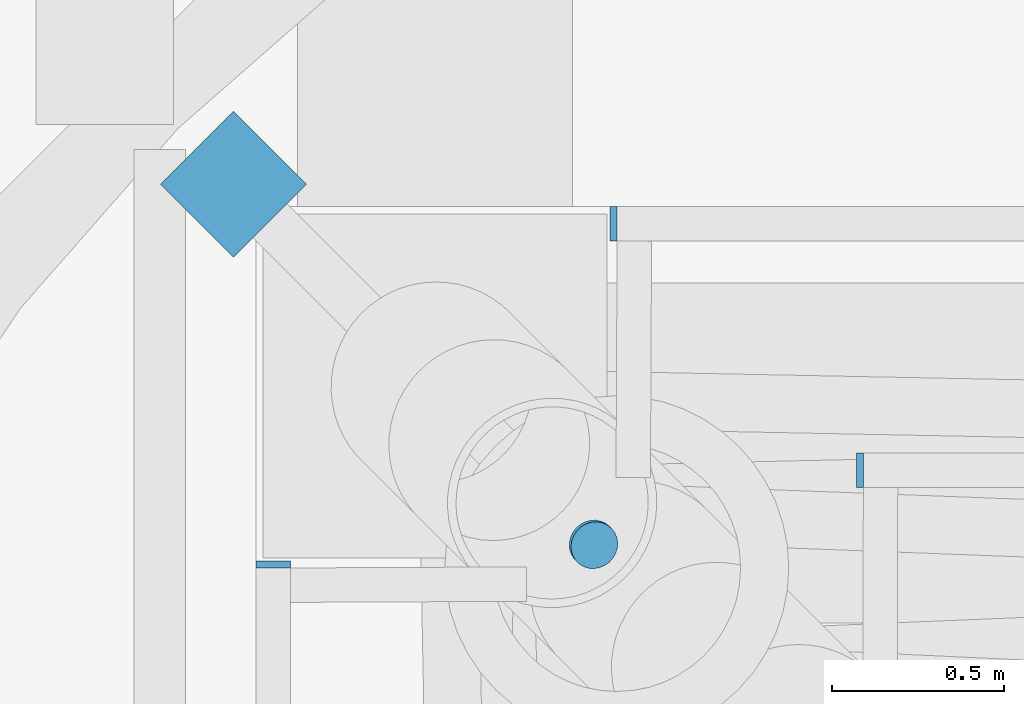
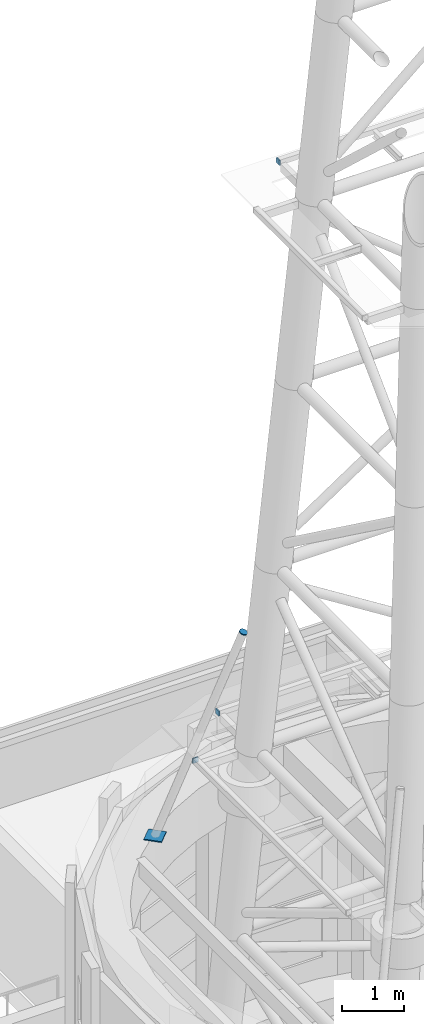
# One storey, part 31 of 36: 5 discrete accessories.
"""IFC4 building model written with IfcOpenShell, lengths in metres."""

from ifc_helpers import new_model, si_unit, direction, frame, origin, origin_2d, place, context, subcontext, project, spatial, rectangle, circle, extrude, material, material_profile, profile_set, type_object, element, save


model = new_model("IFC4")

# Units and contexts
model_context = context("Model", 3, precision=1e-05, world=origin(), true_north=direction((0.0, 1.0)))
body_context = subcontext(model_context, "Body", "Model", "MODEL_VIEW")
ifc_project = project(units=[si_unit("LENGTHUNIT", "METRE"), si_unit("AREAUNIT", "SQUARE_METRE"), si_unit("VOLUMEUNIT", "CUBIC_METRE"), si_unit("PLANEANGLEUNIT", "RADIAN"), si_unit("MASSUNIT", "GRAM", prefix="KILO")], contexts=[model_context])

# Site, building, storey
site_placement = place(None, origin())
site = spatial("IfcSite", under=ifc_project, at=site_placement, CompositionType="ELEMENT")
building_placement = place(site_placement, origin())
building = spatial("IfcBuilding", under=site, at=building_placement, Name="Ipe Terrace Towers", CompositionType="ELEMENT")
storey_placement = place(building_placement, frame((0.0, 0.0, 264.89990234375)))
storey = spatial("IfcBuildingStorey", under=building, at=storey_placement, Name="Roof", CompositionType="ELEMENT", Elevation=264.89990234375)

# Discrete accessories
ifc_material_1 = material(Name="Steel S355", Category="steel")
ifc_material_profile_1 = material_profile(ifc_material_1, rectangle(XDim=0.10009765625, YDim=0.10009765625, at=origin_2d()), Name="MAST END PLATE 100 x 100 x 20")
ifc_profile_set_1 = profile_set([ifc_material_profile_1], Name="Steel S355")
discrete_accessory_type_1 = type_object("IfcDiscreteAccessoryType", Name="MAST END PLATE 100 x 100 x 20", PredefinedType="BRACKET", material=ifc_profile_set_1)
for number, where, z_axis, x_axis, name in (
    (1, (32.529052734375, 2.470947265625, 10.2470703125), (0.0, 1.0, 0.0), (-1.0, 0.0, 0.0), "mast end plate"),
    (2, (33.529052734375, 3.470947265625, 10.2470703125), (-1.0, 0.0, 0.0), (0.0, -1.0, 0.0), "mast end plate"),
    (3, (34.2451171875, 2.7548828125, 21.31005859375), (-1.0, 0.0, 0.0), (0.0, -1.0, 0.0), "mast end plate"),
):
    element("IfcDiscreteAccessory", number, at=place(storey_placement, frame(where, z_axis=z_axis, x_axis=x_axis)), inside=storey, type_object=discrete_accessory_type_1, Name=name, PredefinedType="BRACKET", context=body_context, shape_type="SweptSolid", body=[
        extrude(rectangle(XDim=0.10009765625, YDim=0.10009765625, at=origin_2d()), origin(), (0.0, 0.0, 1.0), 0.02001953125),
    ])
ifc_material_2 = material(Name="Steel S355", Category="steel")
ifc_material_profile_2 = material_profile(ifc_material_2, circle(Radius=0.070068359375, at=origin_2d()), Name="MAST END PLATE 140 DIA x 20")
ifc_profile_set_2 = profile_set([ifc_material_profile_2], Name="Steel S355")
discrete_accessory_type_2 = type_object("IfcDiscreteAccessoryType", Name="MAST END PLATE 140 DIA x 20", PredefinedType="BRACKET", material=ifc_profile_set_2)
discrete_accessory_1_placement = place(storey_placement, frame((33.4580078125, 2.5419921875, 12.403076171875), z_axis=(0.241051348201, -0.241051348201, 0.940100257984), x_axis=(0.707106781187, 0.707106781187, 0.0)))
element("IfcDiscreteAccessory", 4, at=discrete_accessory_1_placement, inside=storey, type_object=discrete_accessory_type_2, Name="mast end plate", PredefinedType="BRACKET", context=body_context, shape_type="SweptSolid", body=[
    extrude(circle(Radius=0.070068359375, at=origin_2d()), origin(), (0.0, 0.0, 1.0), 0.020263671875),
])
ifc_material_3 = material(Name="Steel S355", Category="steel")
discrete_accessory_type_3 = type_object("IfcDiscreteAccessoryType", Name="MAST STAY BASE PLATE 300 x 300 x 20", PredefinedType="BRACKET", material=ifc_material_3)
discrete_accessory_2_placement = place(storey_placement, frame((32.4140625, 3.5859375, 8.110107421875), z_axis=(0.0, 0.0, 1.0), x_axis=(0.707106781187, -0.707106781187, 0.0)))
element("IfcDiscreteAccessory", 5, at=discrete_accessory_2_placement, inside=storey, type_object=discrete_accessory_type_3, Name="mast stay base plate", PredefinedType="BRACKET", context=body_context, shape_type="SweptSolid", body=[
    extrude(rectangle(XDim=0.300048828125, YDim=0.300048828125, at=origin_2d()), origin(), (0.0, 0.0, 1.0), 0.02001953125),
])

save(model, "model.ifc")
